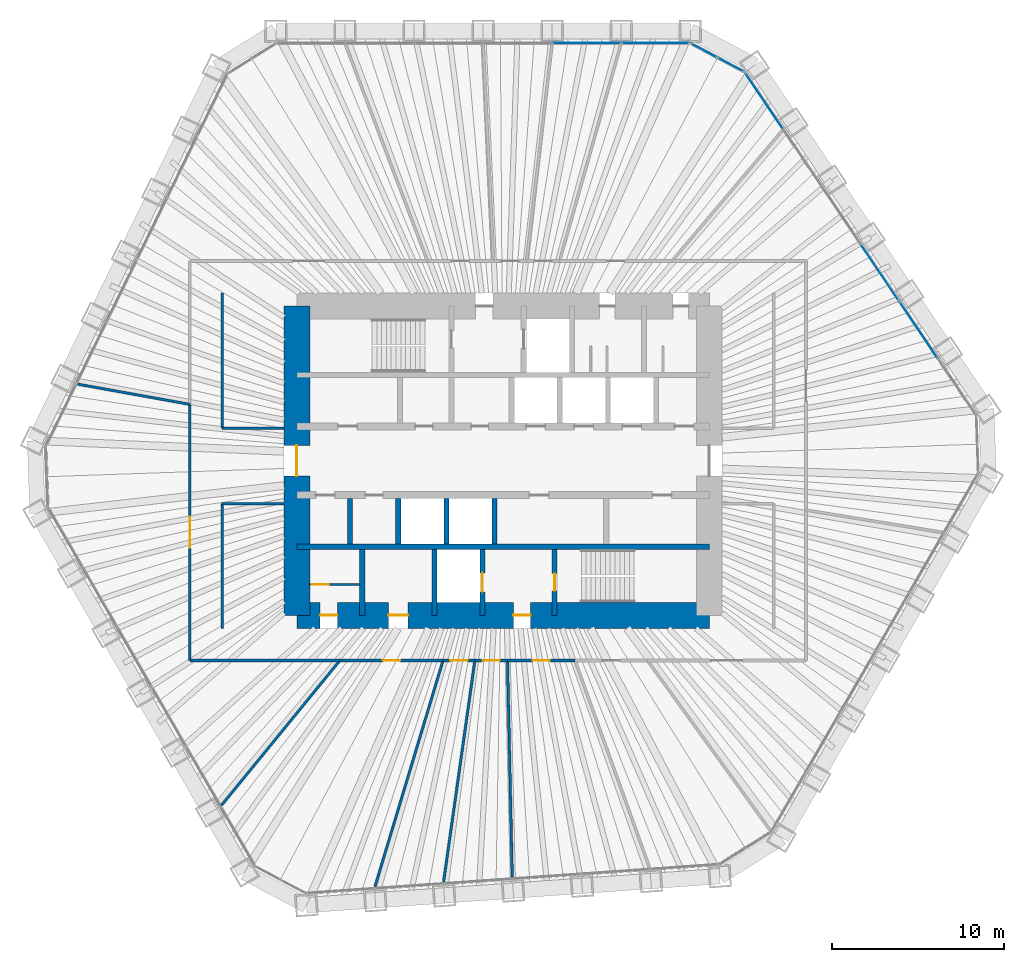
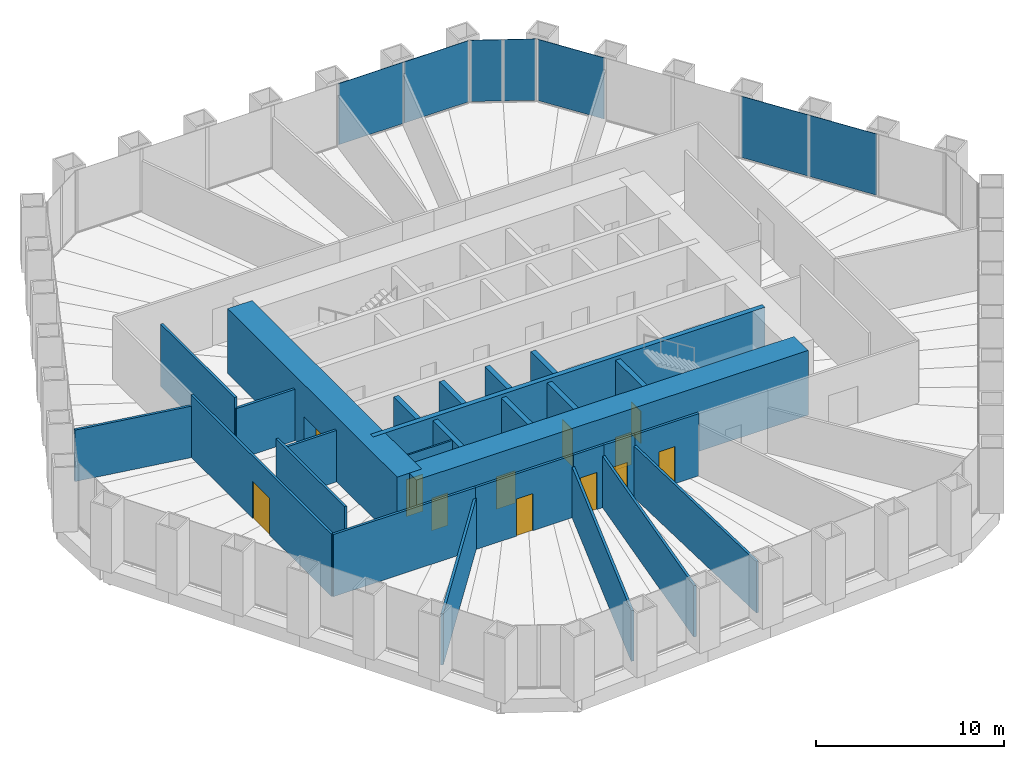
# One storey, part 10 of 13: 27 walls, 12 doors, 7 plates, 12 openings, 3 elements without a shape of their own.
"""IFC4 building model written with IfcOpenShell, lengths in metres."""

from ifc_helpers import new_model, si_unit, direction, frame, frame_2d, origin, origin_2d, place, context, subcontext, project, spatial, rectangle, extrude, material, layer, layer_set, type_object, element, fill, aggregate, save


model = new_model("IFC4")

# Units and contexts
model_context = context("Model", 3, precision=1e-05, world=origin(), true_north=direction((0.0, 1.0)))
body_context = subcontext(model_context, "Body", "Model", "MODEL_VIEW")
ifc_project = project(units=[si_unit("LENGTHUNIT", "METRE"), si_unit("AREAUNIT", "SQUARE_METRE"), si_unit("VOLUMEUNIT", "CUBIC_METRE"), si_unit("PLANEANGLEUNIT", "RADIAN"), si_unit("MASSUNIT", "GRAM", prefix="KILO")], contexts=[model_context])

# Site, building, storey
site_placement = place(None, origin())
site = spatial("IfcSite", under=ifc_project, at=site_placement, CompositionType="ELEMENT")
building_placement = place(site_placement, origin())
building = spatial("IfcBuilding", under=site, at=building_placement, Name="Qingtian Harvest Tower", CompositionType="ELEMENT")
storey_placement = place(building_placement, frame((0.0, 0.0, 111.39990234375)))
storey = spatial("IfcBuildingStorey", under=building, at=storey_placement, Name="L22", CompositionType="ELEMENT", Elevation=111.39990234375)

# Curtain wall, plates
ifc_material_1 = material(Name="Bronze-anodised aluminium curtain wall", Category="aluminium")
curtain_wall_type = type_object("IfcCurtainWallType", Name="Curtain wall CW4 office", PredefinedType="USERDEFINED", material=ifc_material_1)
curtain_wall_1_placement = place(storey_placement, origin())
curtain_wall_1 = element("IfcCurtainWall", 1, at=curtain_wall_1_placement, inside=storey, type_object=curtain_wall_type, Name="Curtain wall CW4 L22 N0-5", ObjectType="RECESSED CURTAIN WALL", PredefinedType="USERDEFINED")
ifc_material_2 = material(Name="Bronze-tinted laminated insulating glass", Category="glass")
ifc_layer_1 = layer(ifc_material_2, 0.030029296875)
ifc_layer_set_1 = layer_set([ifc_layer_1], Name="Glazed panel CWP tinted IGU")
plate_type = type_object("IfcPlateType", Name="Glazed panel CWP tinted IGU", PredefinedType="CURTAIN_PANEL", material=ifc_layer_set_1)
plate_1_placement = place(storey_placement, frame((4.864013671875, 24.300048828125, 0.06494140625), z_axis=(0.0, 0.0, 1.0), x_axis=(1.0, 0.0, 0.0)))
plate_1 = element("IfcPlate", 2, at=plate_1_placement, type_object=plate_type, Name="CW4 panel 5.1", PredefinedType="CURTAIN_PANEL", context=body_context, shape_type="SweptSolid", body=[
    extrude(rectangle(XDim=3.9541015625, YDim=0.030029296875, at=origin_2d()), origin(), (0.0, 0.0, 1.0), 3.965087890625),
])
plate_2_placement = place(storey_placement, frame((8.866943359375, 24.300048828125, 0.06494140625), z_axis=(0.0, 0.0, 1.0), x_axis=(1.0, 0.0, 0.0)))
plate_2 = element("IfcPlate", 3, at=plate_2_placement, type_object=plate_type, Name="CW4 panel 6.1", PredefinedType="CURTAIN_PANEL", context=body_context, shape_type="SweptSolid", body=[
    extrude(rectangle(XDim=3.921630859375, YDim=0.030029296875, at=origin_2d()), origin(), (0.0, 0.0, 1.0), 3.965087890625),
])
aggregate(curtain_wall_1, [plate_1, plate_2])

curtain_wall_2_placement = place(storey_placement, origin())
curtain_wall_2 = element("IfcCurtainWall", 4, at=curtain_wall_2_placement, inside=storey, type_object=curtain_wall_type, Name="Curtain wall CW4 L22 NC", ObjectType="RECESSED CURTAIN WALL", PredefinedType="USERDEFINED")
plate_3_placement = place(storey_placement, frame((11.697509765625, 23.8720703125, 0.06494140625), z_axis=(0.0, 0.0, 1.0), x_axis=(0.882947592859, -0.469471562786, 0.0)))
plate_3 = element("IfcPlate", 5, at=plate_3_placement, type_object=plate_type, Name="CW4 panel 1.1", PredefinedType="CURTAIN_PANEL", context=body_context, shape_type="SweptSolid", body=[
    extrude(rectangle(XDim=1.69287109375, YDim=0.030029296875, at=origin_2d()), origin(), (0.0, 0.0, 1.0), 3.965087890625),
])
plate_4_placement = place(storey_placement, frame((13.249755859375, 23.046875, 0.06494140625), z_axis=(0.0, 0.0, 1.0), x_axis=(0.882947592859, -0.469471562786, 0.0)))
plate_4 = element("IfcPlate", 6, at=plate_4_placement, type_object=plate_type, Name="CW4 panel 2.1", PredefinedType="CURTAIN_PANEL", context=body_context, shape_type="SweptSolid", body=[
    extrude(rectangle(XDim=1.69287109375, YDim=0.030029296875, at=origin_2d()), origin(), (0.0, 0.0, 1.0), 3.965087890625),
])
aggregate(curtain_wall_2, [plate_3, plate_4])

curtain_wall_3_placement = place(storey_placement, origin())
curtain_wall_3 = element("IfcCurtainWall", 7, at=curtain_wall_3_placement, inside=storey, type_object=curtain_wall_type, Name="Curtain wall CW4 L22 NE0-5", ObjectType="RECESSED CURTAIN WALL", PredefinedType="USERDEFINED")
plate_5_placement = place(storey_placement, frame((15.187255859375, 20.939453125, 0.06494140625), z_axis=(0.0, 0.0, 1.0), x_axis=(0.559192903471, -0.829037572555, 0.0)))
plate_5 = element("IfcPlate", 8, at=plate_5_placement, type_object=plate_type, Name="CW4 panel 1.1", PredefinedType="CURTAIN_PANEL", context=body_context, shape_type="SweptSolid", body=[
    extrude(rectangle(XDim=3.921630859375, YDim=0.030029296875, at=origin_2d()), origin(), (0.0, 0.0, 1.0), 3.965087890625),
])
plate_6_placement = place(storey_placement, frame((21.92041015625, 10.95703125, 0.06494140625), z_axis=(0.0, 0.0, 1.0), x_axis=(0.559192903471, -0.829037572555, 0.0)))
plate_6 = element("IfcPlate", 9, at=plate_6_placement, type_object=plate_type, Name="CW4 panel 4.1", PredefinedType="CURTAIN_PANEL", context=body_context, shape_type="SweptSolid", body=[
    extrude(rectangle(XDim=3.9541015625, YDim=0.030029296875, at=origin_2d()), origin(), (0.0, 0.0, 1.0), 3.965087890625),
])
plate_7_placement = place(storey_placement, frame((24.16796875, 7.625, 0.06494140625), z_axis=(0.0, 0.0, 1.0), x_axis=(0.559192903471, -0.829037572555, 0.0)))
plate_7 = element("IfcPlate", 10, at=plate_7_placement, type_object=plate_type, Name="CW4 panel 5.1", PredefinedType="CURTAIN_PANEL", context=body_context, shape_type="SweptSolid", body=[
    extrude(rectangle(XDim=3.9541015625, YDim=0.030029296875, at=origin_2d()), origin(), (0.0, 0.0, 1.0), 3.965087890625),
])
aggregate(curtain_wall_3, [plate_5, plate_6, plate_7])

# Walls
ifc_material_3 = material(Name="Concrete fc' 70 MPa", Category="concrete")
ifc_layer_2 = layer(ifc_material_3, 0.300048828125)
ifc_layer_set_2 = layer_set([ifc_layer_2], Name="Core inner wall RC5 300")
wall_type_1 = type_object("IfcWallType", Name="Core inner wall RC5 300", PredefinedType="SHEAR", material=ifc_layer_set_2)
wall_1_placement = place(storey_placement, frame((-12.0, -5.0, 0.0), z_axis=(0.0, 0.0, 1.0), x_axis=(1.0, 0.0, 0.0)))
element("IfcWall", 11, at=wall_1_placement, inside=storey, type_object=wall_type_1, Name="Core wall IS5 L22", PredefinedType="SHEAR", context=body_context, shape_type="SweptSolid", body=[
    extrude(rectangle(XDim=24.0, YDim=0.300048828125, at=frame_2d((12.0, 0.0))), origin(), (0.0, 0.0, 1.0), 4.2001953125),
])
ifc_material_4 = material(Name="Precast concrete shaft panel", Category="concrete")
ifc_layer_3 = layer(ifc_material_4, 0.300048828125)
ifc_layer_set_3 = layer_set([ifc_layer_3], Name="Core shaft partition SW1 300")
wall_type_2 = type_object("IfcWallType", Name="Core shaft partition SW1 300", PredefinedType="PARTITIONING", material=ifc_layer_set_3)
for number, where, z_axis, x_axis, name in (
    (12, (-8.89990234375, -4.85009765625, 0.0), (0.0, 0.0, 1.0), (0.0, 1.0, 0.0), "Core shaft partition XB1 L22"),
    (13, (-6.10009765625, -4.85009765625, 0.0), (0.0, 0.0, 1.0), (0.0, 1.0, 0.0), "Core shaft partition XB2 L22"),
    (14, (-3.300048828125, -4.85009765625, 0.0), (0.0, 0.0, 1.0), (0.0, 1.0, 0.0), "Core shaft partition XB3 L22"),
    (15, (-0.5, -4.85009765625, 0.0), (0.0, 0.0, 1.0), (0.0, 1.0, 0.0), "Core shaft partition XB4 L22"),
):
    element("IfcWall", number, at=place(storey_placement, frame(where, z_axis=z_axis, x_axis=x_axis)), inside=storey, type_object=wall_type_2, Name=name, PredefinedType="PARTITIONING", context=body_context, shape_type="SweptSolid", body=[
        extrude(rectangle(XDim=2.650146484375, YDim=0.300048828125, at=frame_2d((1.3251953125, 0.0))), origin(), (0.0, 0.0, 1.0), 3.97998046875),
    ])
for number, where, z_axis, x_axis, name in (
    (16, (-8.199951171875, -9.0, 0.0), (0.0, 0.0, 1.0), (0.0, 1.0, 0.0), "Core shaft partition XS1 L22"),
    (17, (-4.0, -9.0, 0.0), (0.0, 0.0, 1.0), (0.0, 1.0, 0.0), "Core shaft partition XS2 L22"),
):
    element("IfcWall", number, at=place(storey_placement, frame(where, z_axis=z_axis, x_axis=x_axis)), inside=storey, type_object=wall_type_2, Name=name, PredefinedType="PARTITIONING", context=body_context, shape_type="SweptSolid", body=[
        extrude(rectangle(XDim=3.85009765625, YDim=0.300048828125, at=frame_2d((1.925048828125, 0.0))), origin(), (0.0, 0.0, 1.0), 3.97998046875),
    ])

# Wall, opening, door
wall_2_placement = place(storey_placement, frame((-1.199951171875, -9.0, 0.0), z_axis=(0.0, 0.0, 1.0), x_axis=(0.0, 1.0, 0.0)))
wall_2 = element("IfcWall", 18, at=wall_2_placement, inside=storey, type_object=wall_type_2, Name="Core shaft partition XS3 L22", PredefinedType="PARTITIONING", context=body_context, shape_type="SweptSolid", body=[
    extrude(rectangle(XDim=3.85009765625, YDim=0.300048828125, at=frame_2d((1.925048828125, 0.0))), origin(), (0.0, 0.0, 1.0), 3.97998046875),
])
opening_1_placement = place(wall_2_placement, frame((1.375, 0.0, 0.0)))
opening_1 = element("IfcOpeningElement", 19, at=opening_1_placement, cuts=wall_2, Name="Opening LD1", PredefinedType="OPENING", context=body_context, shape_type="SweptSolid", body=[
    extrude(rectangle(XDim=1.10009765625, YDim=2.39990234375, at=frame_2d((0.550048828125, 1.199951171875))), frame((0.0, 0.159912109375, 0.0), z_axis=(0.0, -1.0, 0.0), x_axis=(1.0, 0.0, 0.0)), (0.0, 0.0, 1.0), 0.320068359375),
])
ifc_material_5 = material(Name="Stainless steel lift landing door", Category="steel")
door_type_1 = type_object("IfcDoorType", Name="Lift landing door LD1 1 HR", OperationType="DOUBLE_DOOR_SLIDING", PredefinedType="DOOR", material=ifc_material_5)
door_1_placement = place(opening_1_placement, origin())
door_1 = element("IfcDoor", 20, at=door_1_placement, inside=storey, type_object=door_type_1, Name="FL2 landing door L22", OperationType="DOUBLE_DOOR_SLIDING", OverallHeight=2.39990234375, OverallWidth=1.10009765625, PredefinedType="DOOR", context=body_context, shape_type="SweptSolid", body=[
    extrude(rectangle(XDim=1.10009765625, YDim=2.39990234375, at=frame_2d((0.550048828125, 1.199951171875))), frame((0.0, 0.02490234375, 0.0), z_axis=(0.0, -1.0, 0.0), x_axis=(1.0, 0.0, 0.0)), (0.0, 0.0, 1.0), 0.050048828125),
])
fill(opening_1, door_1)

wall_3_placement = place(storey_placement, frame((3.0, -9.0, 0.0), z_axis=(0.0, 0.0, 1.0), x_axis=(0.0, 1.0, 0.0)))
wall_3 = element("IfcWall", 21, at=wall_3_placement, inside=storey, type_object=wall_type_2, Name="Core shaft partition XS4 L22", PredefinedType="PARTITIONING", context=body_context, shape_type="SweptSolid", body=[
    extrude(rectangle(XDim=3.85009765625, YDim=0.300048828125, at=frame_2d((1.925048828125, 0.0))), origin(), (0.0, 0.0, 1.0), 3.97998046875),
])
opening_2_placement = place(wall_3_placement, frame((1.425048828125, 0.0, 0.0)))
opening_2 = element("IfcOpeningElement", 22, at=opening_2_placement, cuts=wall_3, Name="Opening FD1", PredefinedType="OPENING", context=body_context, shape_type="SweptSolid", body=[
    extrude(rectangle(XDim=1.0, YDim=2.10009765625, at=frame_2d((0.5, 1.050048828125))), frame((0.0, 0.159912109375, 0.0), z_axis=(0.0, -1.0, 0.0), x_axis=(1.0, 0.0, 0.0)), (0.0, 0.0, 1.0), 0.320068359375),
])
ifc_material_6 = material(Name="Steel-faced door leaf", Category="steel")
door_type_2 = type_object("IfcDoorType", Name="Fire door FD1 single 1 HR", OperationType="SINGLE_SWING_LEFT", PredefinedType="DOOR", material=ifc_material_6)
door_2_placement = place(opening_2_placement, origin())
door_2 = element("IfcDoor", 23, at=door_2_placement, inside=storey, type_object=door_type_2, Name="S2 door L22", OperationType="SINGLE_SWING_RIGHT", OverallHeight=2.10009765625, OverallWidth=1.0, PredefinedType="DOOR", context=body_context, shape_type="SweptSolid", body=[
    extrude(rectangle(XDim=1.0, YDim=2.10009765625, at=frame_2d((0.5, 1.050048828125))), frame((0.0, 0.02490234375, 0.0), z_axis=(0.0, -1.0, 0.0), x_axis=(1.0, 0.0, 0.0)), (0.0, 0.0, 1.0), 0.050048828125),
])
fill(opening_2, door_2)

# Wall, openings, doors
ifc_material_7 = material(Name="Concrete fc' 70 MPa", Category="concrete")
ifc_layer_4 = layer(ifc_material_7, 1.5)
ifc_layer_set_4 = layer_set([ifc_layer_4], Name="Core wall RC1 1500")
wall_type_3 = type_object("IfcWallType", Name="Core wall RC1 1500", PredefinedType="SHEAR", material=ifc_layer_set_4)
wall_4_placement = place(storey_placement, frame((-12.0, -9.0, 0.0), z_axis=(0.0, 0.0, 1.0), x_axis=(1.0, 0.0, 0.0)))
wall_4 = element("IfcWall", 24, at=wall_4_placement, inside=storey, type_object=wall_type_3, Name="Core wall CS L22", PredefinedType="SHEAR", context=body_context, shape_type="SweptSolid", body=[
    extrude(rectangle(XDim=24.0, YDim=1.5, at=frame_2d((12.0, 0.0))), origin(), (0.0, 0.0, 1.0), 4.2001953125),
])
opening_3_placement = place(wall_4_placement, frame((1.35009765625, 0.0, 0.0)))
opening_3 = element("IfcOpeningElement", 25, at=opening_3_placement, cuts=wall_4, Name="Opening FD1", PredefinedType="OPENING", context=body_context, shape_type="SweptSolid", body=[
    extrude(rectangle(XDim=1.0, YDim=2.10009765625, at=frame_2d((0.5, 1.050048828125))), frame((0.0, 0.760009765625, 0.0), z_axis=(0.0, -1.0, 0.0), x_axis=(1.0, 0.0, 0.0)), (0.0, 0.0, 1.0), 1.52001953125),
])
opening_4_placement = place(wall_4_placement, frame((5.324951171875, 0.0, 0.0)))
opening_4 = element("IfcOpeningElement", 26, at=opening_4_placement, cuts=wall_4, Name="Opening AD1", PredefinedType="OPENING", context=body_context, shape_type="SweptSolid", body=[
    extrude(rectangle(XDim=1.14990234375, YDim=2.10009765625, at=frame_2d((0.574951171875, 1.050048828125))), frame((0.0, 0.760009765625, 0.0), z_axis=(0.0, -1.0, 0.0), x_axis=(1.0, 0.0, 0.0)), (0.0, 0.0, 1.0), 1.52001953125),
])
opening_5_placement = place(wall_4_placement, frame((12.60009765625, 0.0, 0.0)))
opening_5 = element("IfcOpeningElement", 27, at=opening_5_placement, cuts=wall_4, Name="Opening FD1", PredefinedType="OPENING", context=body_context, shape_type="SweptSolid", body=[
    extrude(rectangle(XDim=1.0, YDim=2.10009765625, at=frame_2d((0.5, 1.050048828125))), frame((0.0, 0.760009765625, 0.0), z_axis=(0.0, -1.0, 0.0), x_axis=(1.0, 0.0, 0.0)), (0.0, 0.0, 1.0), 1.52001953125),
])
ifc_material_8 = material(Name="Laminated timber door leaf", Category="wood")
door_type_3 = type_object("IfcDoorType", Name="Accessible WC door AD1 single", OperationType="SINGLE_SWING_LEFT", PredefinedType="DOOR", material=ifc_material_8)
door_3_placement = place(opening_4_placement, origin())
door_3 = element("IfcDoor", 28, at=door_3_placement, inside=storey, type_object=door_type_3, Name="AWC door L22", OperationType="SINGLE_SWING_RIGHT", OverallHeight=2.10009765625, OverallWidth=1.14990234375, PredefinedType="DOOR", context=body_context, shape_type="SweptSolid", body=[
    extrude(rectangle(XDim=1.14990234375, YDim=2.10009765625, at=frame_2d((0.574951171875, 1.050048828125))), frame((0.0, 0.02490234375, 0.0), z_axis=(0.0, -1.0, 0.0), x_axis=(1.0, 0.0, 0.0)), (0.0, 0.0, 1.0), 0.050048828125),
])
fill(opening_4, door_3)
door_4_placement = place(opening_3_placement, origin())
door_4 = element("IfcDoor", 29, at=door_4_placement, inside=storey, type_object=door_type_2, Name="CLN door L22", OperationType="SINGLE_SWING_LEFT", OverallHeight=2.10009765625, OverallWidth=1.0, PredefinedType="DOOR", context=body_context, shape_type="SweptSolid", body=[
    extrude(rectangle(XDim=1.0, YDim=2.10009765625, at=frame_2d((0.5, 1.050048828125))), frame((0.0, 0.02490234375, 0.0), z_axis=(0.0, -1.0, 0.0), x_axis=(1.0, 0.0, 0.0)), (0.0, 0.0, 1.0), 0.050048828125),
])
fill(opening_3, door_4)
door_5_placement = place(opening_5_placement, origin())
door_5 = element("IfcDoor", 30, at=door_5_placement, inside=storey, type_object=door_type_2, Name="V2 door L22", OperationType="SINGLE_SWING_LEFT", OverallHeight=2.10009765625, OverallWidth=1.0, PredefinedType="DOOR", context=body_context, shape_type="SweptSolid", body=[
    extrude(rectangle(XDim=1.0, YDim=2.10009765625, at=frame_2d((0.5, 1.050048828125))), frame((0.0, 0.02490234375, 0.0), z_axis=(0.0, -1.0, 0.0), x_axis=(1.0, 0.0, 0.0)), (0.0, 0.0, 1.0), 0.050048828125),
])
fill(opening_5, door_5)

# Wall, opening, door
wall_5_placement = place(storey_placement, frame((-12.0, -9.0, 0.0), z_axis=(0.0, 0.0, 1.0), x_axis=(0.0, 1.0, 0.0)))
wall_5 = element("IfcWall", 31, at=wall_5_placement, inside=storey, type_object=wall_type_3, Name="Core wall CW L22", PredefinedType="SHEAR", context=body_context, shape_type="SweptSolid", body=[
    extrude(rectangle(XDim=18.0, YDim=1.5, at=frame_2d((9.0, 0.0))), origin(), (0.0, 0.0, 1.0), 4.2001953125),
])
opening_6_placement = place(wall_5_placement, frame((8.10009765625, 0.0, 0.0)))
opening_6 = element("IfcOpeningElement", 32, at=opening_6_placement, cuts=wall_5, Name="Opening FD2", PredefinedType="OPENING", context=body_context, shape_type="SweptSolid", body=[
    extrude(rectangle(XDim=1.800048828125, YDim=2.10009765625, at=frame_2d((0.89990234375, 1.050048828125))), frame((0.0, 0.760009765625, 0.0), z_axis=(0.0, -1.0, 0.0), x_axis=(1.0, 0.0, 0.0)), (0.0, 0.0, 1.0), 1.52001953125),
])
ifc_material_9 = material(Name="Steel-faced door leaf", Category="steel")
door_type_4 = type_object("IfcDoorType", Name="Fire door FD2 double 1 HR", OperationType="DOUBLE_DOOR_DOUBLE_SWING", PredefinedType="DOOR", material=ifc_material_9)
door_6_placement = place(opening_6_placement, origin())
door_6 = element("IfcDoor", 33, at=door_6_placement, inside=storey, type_object=door_type_4, Name="LOBBY-W door L22", OperationType="DOUBLE_DOOR_DOUBLE_SWING", OverallHeight=2.10009765625, OverallWidth=1.800048828125, PredefinedType="DOOR", context=body_context, shape_type="SweptSolid", body=[
    extrude(rectangle(XDim=1.800048828125, YDim=2.10009765625, at=frame_2d((0.89990234375, 1.050048828125))), frame((0.0, 0.02490234375, 0.0), z_axis=(0.0, -1.0, 0.0), x_axis=(1.0, 0.0, 0.0)), (0.0, 0.0, 1.0), 0.050048828125),
])
fill(opening_6, door_6)

# Walls
ifc_material_10 = material(Name="Gypsum board on steel studs", Category="steel")
ifc_layer_5 = layer(ifc_material_10, 0.14990234375)
ifc_layer_set_5 = layer_set([ifc_layer_5], Name="Partition PT1 150")
wall_type_4 = type_object("IfcWallType", Name="Partition PT1 150", PredefinedType="PARTITIONING", material=ifc_layer_set_5)
wall_6_placement = place(storey_placement, frame((-16.3798828125, -20.042236328125, 0.0), z_axis=(0.0, 0.0, 1.0), x_axis=(0.632814540967, 0.774303400962, 0.0)))
element("IfcWall", 34, at=wall_6_placement, inside=storey, type_object=wall_type_4, Name="Office suite wall L22", PredefinedType="PARTITIONING", context=body_context, shape_type="SweptSolid", body=[
    extrude(rectangle(XDim=10.87060546875, YDim=0.14990234375, at=frame_2d((5.435302734375, 0.0))), origin(), (0.0, 0.0, 1.0), 3.330078125),
])
wall_7_placement = place(storey_placement, frame((-9.500732421875, -11.625, 0.0), z_axis=(0.0, 0.0, 1.0), x_axis=(-1.0, 0.0, 0.0)))
element("IfcWall", 35, at=wall_7_placement, inside=storey, type_object=wall_type_4, Name="Office suite wall L22", PredefinedType="PARTITIONING", context=body_context, shape_type="SweptSolid", body=[
    extrude(rectangle(XDim=8.724365234375, YDim=0.14990234375, at=frame_2d((4.3623046875, 0.0))), origin(), (0.0, 0.0, 1.0), 4.030029296875),
])

# Wall, opening, door
wall_8_placement = place(storey_placement, frame((-18.22509765625, -11.625, 0.0), z_axis=(0.0, 0.0, 1.0), x_axis=(0.0, 1.0, 0.0)))
wall_8 = element("IfcWall", 36, at=wall_8_placement, inside=storey, type_object=wall_type_4, Name="Office suite wall L22", PredefinedType="PARTITIONING", context=body_context, shape_type="SweptSolid", body=[
    extrude(rectangle(XDim=14.906005859375, YDim=0.14990234375, at=frame_2d((7.453125, 0.0))), origin(), (0.0, 0.0, 1.0), 4.030029296875),
])
opening_7_placement = place(wall_8_placement, frame((6.552978515625, 0.0, 0.0)))
opening_7 = element("IfcOpeningElement", 37, at=opening_7_placement, cuts=wall_8, Name="Opening D3", PredefinedType="OPENING", context=body_context, shape_type="SweptSolid", body=[
    extrude(rectangle(XDim=1.800048828125, YDim=2.39990234375, at=frame_2d((0.89990234375, 1.199951171875))), frame((0.0, 0.0849609375, 0.0), z_axis=(0.0, -1.0, 0.0), x_axis=(1.0, 0.0, 0.0)), (0.0, 0.0, 1.0), 0.169921875),
])
ifc_material_11 = material(Name="Laminated timber door leaf", Category="wood")
door_type_5 = type_object("IfcDoorType", Name="Room door D3 double", OperationType="DOUBLE_DOOR_DOUBLE_SWING", PredefinedType="DOOR", material=ifc_material_11)
door_7_placement = place(opening_7_placement, origin())
door_7 = element("IfcDoor", 38, at=door_7_placement, inside=storey, type_object=door_type_5, Name="Office suite door L22", OperationType="DOUBLE_DOOR_DOUBLE_SWING", OverallHeight=2.39990234375, OverallWidth=1.800048828125, PredefinedType="DOOR", context=body_context, shape_type="SweptSolid", body=[
    extrude(rectangle(XDim=1.800048828125, YDim=2.39990234375, at=frame_2d((0.89990234375, 1.199951171875))), frame((0.0, 0.02490234375, 0.0), z_axis=(0.0, -1.0, 0.0), x_axis=(1.0, 0.0, 0.0)), (0.0, 0.0, 1.0), 0.050048828125),
])
fill(opening_7, door_7)

# Wall
wall_9_placement = place(storey_placement, frame((-24.75537109375, 4.456787109375, 0.0), z_axis=(0.0, 0.0, 1.0), x_axis=(0.984174598206, -0.177201467959, 0.0)))
element("IfcWall", 39, at=wall_9_placement, inside=storey, type_object=wall_type_4, Name="Office suite wall L22", PredefinedType="PARTITIONING", context=body_context, shape_type="SweptSolid", body=[
    extrude(rectangle(XDim=6.63525390625, YDim=0.14990234375, at=frame_2d((3.317626953125, 0.0))), origin(), (0.0, 0.0, 1.0), 3.330078125),
])

# Wall, opening, door
wall_10_placement = place(storey_placement, frame((4.18408203125, -11.625, 0.0), z_axis=(0.0, 0.0, 1.0), x_axis=(-1.0, 0.0, 0.0)))
wall_10 = element("IfcWall", 40, at=wall_10_placement, inside=storey, type_object=wall_type_4, Name="Print room wall L22", PredefinedType="PARTITIONING", context=body_context, shape_type="SweptSolid", body=[
    extrude(rectangle(XDim=3.92919921875, YDim=0.14990234375, at=frame_2d((1.964599609375, 0.0))), origin(), (0.0, 0.0, 1.0), 4.030029296875),
])
opening_8_placement = place(wall_10_placement, frame((1.464599609375, 0.0, 0.0)))
opening_8 = element("IfcOpeningElement", 41, at=opening_8_placement, cuts=wall_10, Name="Opening D2", PredefinedType="OPENING", context=body_context, shape_type="SweptSolid", body=[
    extrude(rectangle(XDim=1.0, YDim=2.39990234375, at=frame_2d((0.5, 1.199951171875))), frame((0.0, 0.0849609375, 0.0), z_axis=(0.0, -1.0, 0.0), x_axis=(1.0, 0.0, 0.0)), (0.0, 0.0, 1.0), 0.169921875),
])
ifc_material_12 = material(Name="Laminated timber door leaf", Category="wood")
door_type_6 = type_object("IfcDoorType", Name="Room door D2 single", OperationType="SINGLE_SWING_LEFT", PredefinedType="DOOR", material=ifc_material_12)
door_8_placement = place(opening_8_placement, origin())
door_8 = element("IfcDoor", 42, at=door_8_placement, inside=storey, type_object=door_type_6, Name="Print room door L22", OperationType="SINGLE_SWING_LEFT", OverallHeight=2.39990234375, OverallWidth=1.0, PredefinedType="DOOR", context=body_context, shape_type="SweptSolid", body=[
    extrude(rectangle(XDim=1.0, YDim=2.39990234375, at=frame_2d((0.5, 1.199951171875))), frame((0.0, 0.02490234375, 0.0), z_axis=(0.0, -1.0, 0.0), x_axis=(1.0, 0.0, 0.0)), (0.0, 0.0, 1.0), 0.050048828125),
])
fill(opening_8, door_8)

# Wall
wall_11_placement = place(storey_placement, frame((0.53125, -24.22216796875, 0.0), z_axis=(0.0, 0.0, 1.0), x_axis=(-0.021933557026, 0.999759430601, 0.0)))
element("IfcWall", 43, at=wall_11_placement, inside=storey, type_object=wall_type_4, Name="Meeting room wall L22", PredefinedType="PARTITIONING", context=body_context, shape_type="SweptSolid", body=[
    extrude(rectangle(XDim=12.60009765625, YDim=0.14990234375, at=frame_2d((6.300048828125, 0.0))), origin(), (0.0, 0.0, 1.0), 3.330078125),
])

# Wall, opening, door
wall_12_placement = place(storey_placement, frame((0.2548828125, -11.625, 0.0), z_axis=(0.0, 0.0, 1.0), x_axis=(-1.0, 0.0, 0.0)))
wall_12 = element("IfcWall", 44, at=wall_12_placement, inside=storey, type_object=wall_type_4, Name="Meeting room wall L22", PredefinedType="PARTITIONING", context=body_context, shape_type="SweptSolid", body=[
    extrude(rectangle(XDim=1.897216796875, YDim=0.14990234375, at=frame_2d((0.94873046875, 0.0))), origin(), (0.0, 0.0, 1.0), 4.030029296875),
])
opening_9_placement = place(wall_12_placement, frame((0.44873046875, 0.0, 0.0)))
opening_9 = element("IfcOpeningElement", 45, at=opening_9_placement, cuts=wall_12, Name="Opening D2", PredefinedType="OPENING", context=body_context, shape_type="SweptSolid", body=[
    extrude(rectangle(XDim=1.0, YDim=2.39990234375, at=frame_2d((0.5, 1.199951171875))), frame((0.0, 0.0849609375, 0.0), z_axis=(0.0, -1.0, 0.0), x_axis=(1.0, 0.0, 0.0)), (0.0, 0.0, 1.0), 0.169921875),
])
door_9_placement = place(opening_9_placement, origin())
door_9 = element("IfcDoor", 46, at=door_9_placement, inside=storey, type_object=door_type_6, Name="Meeting room door L22", OperationType="SINGLE_SWING_LEFT", OverallHeight=2.39990234375, OverallWidth=1.0, PredefinedType="DOOR", context=body_context, shape_type="SweptSolid", body=[
    extrude(rectangle(XDim=1.0, YDim=2.39990234375, at=frame_2d((0.5, 1.199951171875))), frame((0.0, 0.02490234375, 0.0), z_axis=(0.0, -1.0, 0.0), x_axis=(1.0, 0.0, 0.0)), (0.0, 0.0, 1.0), 0.050048828125),
])
fill(opening_9, door_9)

# Wall
wall_13_placement = place(storey_placement, frame((-3.4619140625, -24.50341796875, 0.0), z_axis=(0.0, 0.0, 1.0), x_axis=(0.139899618934, 0.990165691499, 0.0)))
element("IfcWall", 47, at=wall_13_placement, inside=storey, type_object=wall_type_4, Name="Meeting room wall L22", PredefinedType="PARTITIONING", context=body_context, shape_type="SweptSolid", body=[
    extrude(rectangle(XDim=13.00634765625, YDim=0.14990234375, at=frame_2d((6.503173828125, 0.0))), origin(), (0.0, 0.0, 1.0), 3.330078125),
])

# Wall, opening, door
wall_14_placement = place(storey_placement, frame((-1.642333984375, -11.625, 0.0), z_axis=(0.0, 0.0, 1.0), x_axis=(-1.0, 0.0, 0.0)))
wall_14 = element("IfcWall", 48, at=wall_14_placement, inside=storey, type_object=wall_type_4, Name="Meeting room wall L22", PredefinedType="PARTITIONING", context=body_context, shape_type="SweptSolid", body=[
    extrude(rectangle(XDim=1.854736328125, YDim=0.14990234375, at=frame_2d((0.92724609375, 0.0))), origin(), (0.0, 0.0, 1.0), 4.030029296875),
])
opening_10_placement = place(wall_14_placement, frame((0.42724609375, 0.0, 0.0)))
opening_10 = element("IfcOpeningElement", 49, at=opening_10_placement, cuts=wall_14, Name="Opening D2", PredefinedType="OPENING", context=body_context, shape_type="SweptSolid", body=[
    extrude(rectangle(XDim=1.0, YDim=2.39990234375, at=frame_2d((0.5, 1.199951171875))), frame((0.0, 0.0849609375, 0.0), z_axis=(0.0, -1.0, 0.0), x_axis=(1.0, 0.0, 0.0)), (0.0, 0.0, 1.0), 0.169921875),
])
door_10_placement = place(opening_10_placement, origin())
door_10 = element("IfcDoor", 50, at=door_10_placement, inside=storey, type_object=door_type_6, Name="Meeting room door L22", OperationType="SINGLE_SWING_RIGHT", OverallHeight=2.39990234375, OverallWidth=1.0, PredefinedType="DOOR", context=body_context, shape_type="SweptSolid", body=[
    extrude(rectangle(XDim=1.0, YDim=2.39990234375, at=frame_2d((0.5, 1.199951171875))), frame((0.0, 0.02490234375, 0.0), z_axis=(0.0, -1.0, 0.0), x_axis=(1.0, 0.0, 0.0)), (0.0, 0.0, 1.0), 0.050048828125),
])
fill(opening_10, door_10)

# Wall
wall_15_placement = place(storey_placement, frame((-7.456298828125, -24.787109375, 0.0), z_axis=(0.0, 0.0, 1.0), x_axis=(0.288055049501, 0.957613851433, 0.0)))
element("IfcWall", 51, at=wall_15_placement, inside=storey, type_object=wall_type_4, Name="Meeting room wall L22", PredefinedType="PARTITIONING", context=body_context, shape_type="SweptSolid", body=[
    extrude(rectangle(XDim=13.74462890625, YDim=0.14990234375, at=frame_2d((6.872314453125, 0.0))), origin(), (0.0, 0.0, 1.0), 3.280029296875),
])

# Wall, opening, door
wall_16_placement = place(storey_placement, frame((-3.4970703125, -11.625, 0.0), z_axis=(0.0, 0.0, 1.0), x_axis=(-1.0, 0.0, 0.0)))
wall_16 = element("IfcWall", 52, at=wall_16_placement, inside=storey, type_object=wall_type_4, Name="Meeting room wall L22", PredefinedType="PARTITIONING", context=body_context, shape_type="SweptSolid", body=[
    extrude(rectangle(XDim=6.003662109375, YDim=0.14990234375, at=frame_2d((3.001953125, 0.0))), origin(), (0.0, 0.0, 1.0), 4.030029296875),
])
opening_11_placement = place(wall_16_placement, frame((2.501953125, 0.0, 0.0)))
opening_11 = element("IfcOpeningElement", 53, at=opening_11_placement, cuts=wall_16, Name="Opening D2", PredefinedType="OPENING", context=body_context, shape_type="SweptSolid", body=[
    extrude(rectangle(XDim=1.0, YDim=2.39990234375, at=frame_2d((0.5, 1.199951171875))), frame((0.0, 0.0849609375, 0.0), z_axis=(0.0, -1.0, 0.0), x_axis=(1.0, 0.0, 0.0)), (0.0, 0.0, 1.0), 0.169921875),
])
door_11_placement = place(opening_11_placement, origin())
door_11 = element("IfcDoor", 54, at=door_11_placement, inside=storey, type_object=door_type_6, Name="Meeting room door L22", OperationType="SINGLE_SWING_RIGHT", OverallHeight=2.39990234375, OverallWidth=1.0, PredefinedType="DOOR", context=body_context, shape_type="SweptSolid", body=[
    extrude(rectangle(XDim=1.0, YDim=2.39990234375, at=frame_2d((0.5, 1.199951171875))), frame((0.0, 0.02490234375, 0.0), z_axis=(0.0, -1.0, 0.0), x_axis=(1.0, 0.0, 0.0)), (0.0, 0.0, 1.0), 0.050048828125),
])
fill(opening_11, door_11)

# Walls
wall_17_placement = place(storey_placement, frame((-16.35009765625, 1.89990234375, 0.0), z_axis=(0.0, 0.0, 1.0), x_axis=(0.0, 1.0, 0.0)))
element("IfcWall", 55, at=wall_17_placement, inside=storey, type_object=wall_type_4, Name="Reading area wall L22", PredefinedType="PARTITIONING", context=body_context, shape_type="SweptSolid", body=[
    extrude(rectangle(XDim=7.85009765625, YDim=0.14990234375, at=frame_2d((3.925048828125, 0.0))), origin(), (0.0, 0.0, 1.0), 4.030029296875),
])
wall_18_placement = place(storey_placement, frame((-12.75, 1.89990234375, 0.0), z_axis=(0.0, 0.0, 1.0), x_axis=(-1.0, 0.0, 0.0)))
element("IfcWall", 56, at=wall_18_placement, inside=storey, type_object=wall_type_4, Name="Reading area wall L22", PredefinedType="PARTITIONING", context=body_context, shape_type="SweptSolid", body=[
    extrude(rectangle(XDim=3.60009765625, YDim=0.14990234375, at=frame_2d((1.800048828125, 0.0))), origin(), (0.0, 0.0, 1.0), 3.330078125),
])
wall_19_placement = place(storey_placement, frame((-16.35009765625, -9.75, 0.0), z_axis=(0.0, 0.0, 1.0), x_axis=(0.0, 1.0, 0.0)))
element("IfcWall", 57, at=wall_19_placement, inside=storey, type_object=wall_type_4, Name="Coffee point wall L22", PredefinedType="PARTITIONING", context=body_context, shape_type="SweptSolid", body=[
    extrude(rectangle(XDim=7.25, YDim=0.14990234375, at=frame_2d((3.625, 0.0))), origin(), (0.0, 0.0, 1.0), 4.030029296875),
])
wall_20_placement = place(storey_placement, frame((-12.75, -2.5, 0.0), z_axis=(0.0, 0.0, 1.0), x_axis=(-1.0, 0.0, 0.0)))
element("IfcWall", 58, at=wall_20_placement, inside=storey, type_object=wall_type_4, Name="Coffee point wall L22", PredefinedType="PARTITIONING", context=body_context, shape_type="SweptSolid", body=[
    extrude(rectangle(XDim=3.60009765625, YDim=0.14990234375, at=frame_2d((1.800048828125, 0.0))), origin(), (0.0, 0.0, 1.0), 3.330078125),
])

# Wall, opening, door
ifc_material_13 = material(Name="Concrete block partition", Category="concrete")
ifc_layer_6 = layer(ifc_material_13, 0.10009765625)
ifc_layer_set_6 = layer_set([ifc_layer_6], Name="Store partition PT3 100")
wall_type_5 = type_object("IfcWallType", Name="Store partition PT3 100", PredefinedType="PARTITIONING", material=ifc_layer_set_6)
wall_21_placement = place(storey_placement, frame((-11.25, -7.199951171875, 0.0), z_axis=(0.0, 0.0, 1.0), x_axis=(1.0, 0.0, 0.0)))
wall_21 = element("IfcWall", 59, at=wall_21_placement, inside=storey, type_object=wall_type_5, Name="Waste store wall L22", PredefinedType="PARTITIONING", context=body_context, shape_type="SweptSolid", body=[
    extrude(rectangle(XDim=2.89990234375, YDim=0.10009765625, at=frame_2d((1.449951171875, 0.0))), origin(), (0.0, 0.0, 1.0), 3.97998046875),
])
opening_12_placement = place(wall_21_placement, frame((0.10009765625, 0.0, 0.0)))
opening_12 = element("IfcOpeningElement", 60, at=opening_12_placement, cuts=wall_21, Name="Opening D2", PredefinedType="OPENING", context=body_context, shape_type="SweptSolid", body=[
    extrude(rectangle(XDim=1.0, YDim=2.39990234375, at=frame_2d((0.5, 1.199951171875))), frame((0.0, 0.06005859375, 0.0), z_axis=(0.0, -1.0, 0.0), x_axis=(1.0, 0.0, 0.0)), (0.0, 0.0, 1.0), 0.1201171875),
])
door_12_placement = place(opening_12_placement, origin())
door_12 = element("IfcDoor", 61, at=door_12_placement, inside=storey, type_object=door_type_6, Name="Waste store door L22", OperationType="SINGLE_SWING_RIGHT", OverallHeight=2.39990234375, OverallWidth=1.0, PredefinedType="DOOR", context=body_context, shape_type="SweptSolid", body=[
    extrude(rectangle(XDim=1.0, YDim=2.39990234375, at=frame_2d((0.5, 1.199951171875))), frame((0.0, 0.02490234375, 0.0), z_axis=(0.0, -1.0, 0.0), x_axis=(1.0, 0.0, 0.0)), (0.0, 0.0, 1.0), 0.050048828125),
])
fill(opening_12, door_12)

save(model, "model.ifc")
